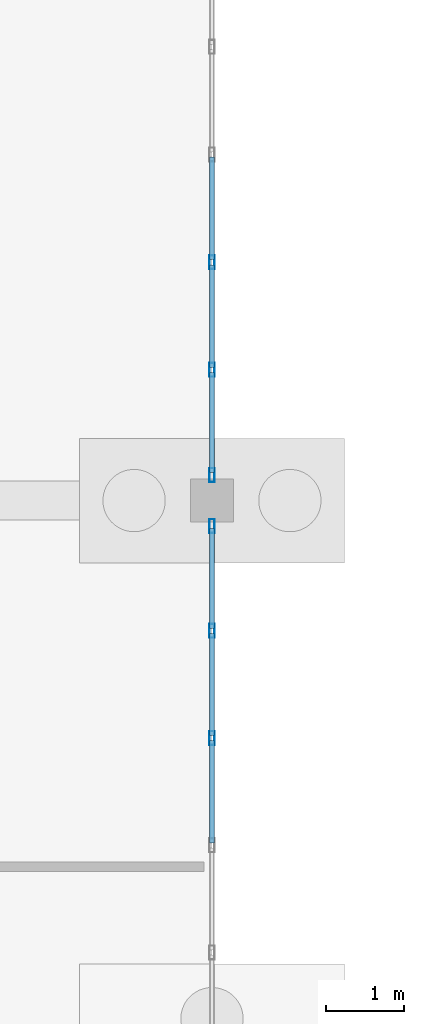
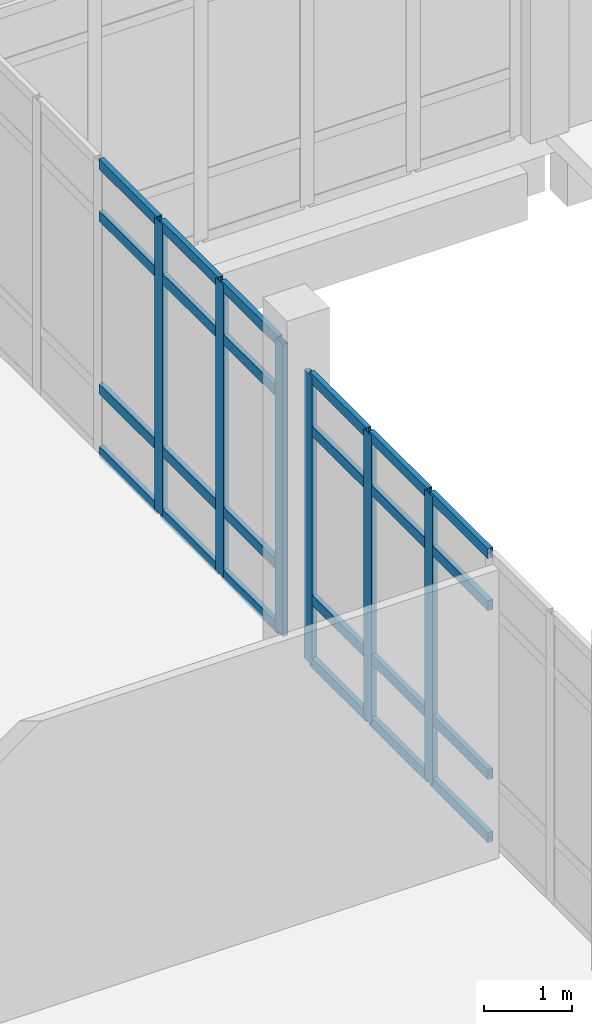
# One storey, part 60 of 173: 30 members, 2 elements without a shape of their own.
"""IFC4 building model written with IfcOpenShell, lengths in metres."""

from ifc_helpers import new_model, si_unit, direction, frame, origin, origin_2d, place, context, subcontext, project, spatial, hollow_rectangle, extrude, material, layer, layer_set, material_profile, profile_set, type_object, element, aggregate, save


model = new_model("IFC4")

# Units and contexts
model_context = context("Model", 3, precision=1e-05, world=origin(), true_north=direction((0.0, 1.0)))
body_context = subcontext(model_context, "Body", "Model", "MODEL_VIEW")
ifc_project = project(units=[si_unit("LENGTHUNIT", "METRE"), si_unit("AREAUNIT", "SQUARE_METRE"), si_unit("VOLUMEUNIT", "CUBIC_METRE"), si_unit("PLANEANGLEUNIT", "RADIAN"), si_unit("MASSUNIT", "GRAM", prefix="KILO")], contexts=[model_context])

# Site, building, storey
site_placement = place(None, origin())
site = spatial("IfcSite", under=ifc_project, at=site_placement, CompositionType="ELEMENT")
building_placement = place(site_placement, origin())
building = spatial("IfcBuilding", under=site, at=building_placement, Name="Mawjan Specialist Oncology Clinic", CompositionType="ELEMENT")
storey_placement = place(building_placement, origin())
storey = spatial("IfcBuildingStorey", under=building, at=storey_placement, Name="L00", CompositionType="ELEMENT", Elevation=0.0)

# Curtain wall, members
ifc_material_1 = material(Name="Unitised spectrally selective aluminium curtain wall", Category="aluminium")
ifc_layer_1 = layer(ifc_material_1, 0.179931640625, Name="Unitised spectrally selective aluminium curtain wall", Category="aluminium")
ifc_layer_set_1 = layer_set([ifc_layer_1], Name="Unitised spectrally selective aluminium curtain wall")
curtain_wall_type_1 = type_object("IfcCurtainWallType", Name="CW-09", PredefinedType="NOTDEFINED", material=ifc_layer_set_1)
curtain_wall_1_placement = place(storey_placement, origin())
curtain_wall_1 = element("IfcCurtainWall", 1, at=curtain_wall_1_placement, inside=storey, type_object=curtain_wall_type_1, Name="L00 Unitised Curtain Wall CW-L00-045", PredefinedType="NOTDEFINED")
ifc_material_2 = material(Name="Thermally broken aluminium 6063-T6", Category="aluminium")
ifc_material_profile_1 = material_profile(ifc_material_2, hollow_rectangle(XDim=0.06494140625, YDim=0.179931640625, WallThickness=0.00390625, at=origin_2d()), Name="ALU MULLION 180x65x4", Category="aluminium")
ifc_profile_set_1 = profile_set([ifc_material_profile_1], Name="Thermally broken aluminium 6063-T6")
member_type_1 = type_object("IfcMemberType", Name="CW-M180", PredefinedType="MULLION", material=ifc_profile_set_1)
member_1_placement = place(storey_placement, frame((45.0, 71.35888671875, 0.0), z_axis=(0.0, 0.0, 1.0), x_axis=(1.0, 0.0, 0.0)))
member_1 = element("IfcMember", 2, at=member_1_placement, type_object=member_type_1, Name="CW-09 mullion 4", PredefinedType="MULLION", context=body_context, shape_type="SweptSolid", body=[
    extrude(hollow_rectangle(XDim=0.06494140625, YDim=0.179931640625, WallThickness=0.00390625, at=origin_2d()), origin(), (0.0, 0.0, 1.0), 4.034912109375),
])
member_2_placement = place(storey_placement, frame((45.0, 69.97705078125, 0.0), z_axis=(0.0, 0.0, 1.0), x_axis=(1.0, 0.0, 0.0)))
member_2 = element("IfcMember", 3, at=member_2_placement, type_object=member_type_1, Name="CW-09 mullion 5", PredefinedType="MULLION", context=body_context, shape_type="SweptSolid", body=[
    extrude(hollow_rectangle(XDim=0.06494140625, YDim=0.179931640625, WallThickness=0.00390625, at=origin_2d()), origin(), (0.0, 0.0, 1.0), 4.034912109375),
])
member_3_placement = place(storey_placement, frame((45.0, 68.62744140625, 0.0), z_axis=(0.0, 0.0, 1.0), x_axis=(1.0, 0.0, 0.0)))
member_3 = element("IfcMember", 4, at=member_3_placement, type_object=member_type_1, Name="CW-09 mullion 6", PredefinedType="MULLION", context=body_context, shape_type="SweptSolid", body=[
    extrude(hollow_rectangle(XDim=0.06494140625, YDim=0.179931640625, WallThickness=0.00390625, at=origin_2d()), origin(), (0.0, 0.0, 1.0), 4.034912109375),
])

ifc_material_3 = material(Name="Unitised spectrally selective aluminium curtain wall", Category="aluminium")
ifc_layer_2 = layer(ifc_material_3, 0.179931640625, Name="Unitised spectrally selective aluminium curtain wall", Category="aluminium")
ifc_layer_set_2 = layer_set([ifc_layer_2], Name="Unitised spectrally selective aluminium curtain wall")
curtain_wall_type_2 = type_object("IfcCurtainWallType", Name="CW-22", PredefinedType="NOTDEFINED", material=ifc_layer_set_2)
curtain_wall_2_placement = place(storey_placement, origin())
curtain_wall_2 = element("IfcCurtainWall", 5, at=curtain_wall_2_placement, inside=storey, type_object=curtain_wall_type_2, Name="L00 Unitised Curtain Wall CW-L00-046", PredefinedType="NOTDEFINED")
member_4_placement = place(storey_placement, frame((45.0, 67.972412109375, 0.0), z_axis=(0.0, 0.0, 1.0), x_axis=(1.0, 0.0, 0.0)))
member_4 = element("IfcMember", 6, at=member_4_placement, type_object=member_type_1, Name="CW-22 mullion 1", PredefinedType="MULLION", context=body_context, shape_type="SweptSolid", body=[
    extrude(hollow_rectangle(XDim=0.06494140625, YDim=0.179931640625, WallThickness=0.00390625, at=origin_2d()), origin(), (0.0, 0.0, 1.0), 3.985107421875),
])
member_5_placement = place(storey_placement, frame((45.0, 66.6279296875, 0.0), z_axis=(0.0, 0.0, 1.0), x_axis=(1.0, 0.0, 0.0)))
member_5 = element("IfcMember", 7, at=member_5_placement, type_object=member_type_1, Name="CW-22 mullion 2", PredefinedType="MULLION", context=body_context, shape_type="SweptSolid", body=[
    extrude(hollow_rectangle(XDim=0.06494140625, YDim=0.179931640625, WallThickness=0.00390625, at=origin_2d()), origin(), (0.0, 0.0, 1.0), 3.985107421875),
])
member_6_placement = place(storey_placement, frame((45.0, 65.2509765625, 0.0), z_axis=(0.0, 0.0, 1.0), x_axis=(1.0, 0.0, 0.0)))
member_6 = element("IfcMember", 8, at=member_6_placement, type_object=member_type_1, Name="CW-22 mullion 3", PredefinedType="MULLION", context=body_context, shape_type="SweptSolid", body=[
    extrude(hollow_rectangle(XDim=0.06494140625, YDim=0.179931640625, WallThickness=0.00390625, at=origin_2d()), origin(), (0.0, 0.0, 1.0), 3.985107421875),
])

# Member
ifc_material_4 = material(Name="Thermally broken aluminium 6063-T6", Category="aluminium")
ifc_material_profile_2 = material_profile(ifc_material_4, hollow_rectangle(XDim=0.06494140625, YDim=0.139892578125, WallThickness=0.00390625, at=origin_2d()), Name="ALU TRANSOM 140x65x4", Category="aluminium")
ifc_profile_set_2 = profile_set([ifc_material_profile_2], Name="Thermally broken aluminium 6063-T6")
member_type_2 = type_object("IfcMemberType", Name="CW-T140", PredefinedType="USERDEFINED", material=ifc_profile_set_2)
member_7_placement = place(storey_placement, frame((45.0, 72.70849609375, 0.032470703125), z_axis=(0.0, -1.0, 0.0), x_axis=(1.0, 0.0, 0.0)))
member_7 = element("IfcMember", 9, at=member_7_placement, type_object=member_type_2, Name="CW-09 transom 3.1", ObjectType="TRANSOM", PredefinedType="USERDEFINED", context=body_context, shape_type="SweptSolid", body=[
    extrude(hollow_rectangle(XDim=0.06494140625, YDim=0.139892578125, WallThickness=0.00390625, at=origin_2d()), origin(), (0.0, 0.0, 1.0), 1.31689453125),
])

member_8_placement = place(storey_placement, frame((45.0, 72.70849609375, 0.89990234375), z_axis=(0.0, -1.0, 0.0), x_axis=(1.0, 0.0, 0.0)))
member_8 = element("IfcMember", 10, at=member_8_placement, type_object=member_type_2, Name="CW-09 transom 3.2", ObjectType="TRANSOM", PredefinedType="USERDEFINED", context=body_context, shape_type="SweptSolid", body=[
    extrude(hollow_rectangle(XDim=0.06494140625, YDim=0.139892578125, WallThickness=0.00390625, at=origin_2d()), origin(), (0.0, 0.0, 1.0), 1.31689453125),
])

member_9_placement = place(storey_placement, frame((45.0, 72.70849609375, 3.284912109375), z_axis=(0.0, -1.0, 0.0), x_axis=(1.0, 0.0, 0.0)))
member_9 = element("IfcMember", 11, at=member_9_placement, type_object=member_type_2, Name="CW-09 transom 3.3", ObjectType="TRANSOM", PredefinedType="USERDEFINED", context=body_context, shape_type="SweptSolid", body=[
    extrude(hollow_rectangle(XDim=0.06494140625, YDim=0.139892578125, WallThickness=0.00390625, at=origin_2d()), origin(), (0.0, 0.0, 1.0), 1.31689453125),
])

member_10_placement = place(storey_placement, frame((45.0, 72.70849609375, 4.00244140625), z_axis=(0.0, -1.0, 0.0), x_axis=(1.0, 0.0, 0.0)))
member_10 = element("IfcMember", 12, at=member_10_placement, type_object=member_type_2, Name="CW-09 transom 3.4", ObjectType="TRANSOM", PredefinedType="USERDEFINED", context=body_context, shape_type="SweptSolid", body=[
    extrude(hollow_rectangle(XDim=0.06494140625, YDim=0.139892578125, WallThickness=0.00390625, at=origin_2d()), origin(), (0.0, 0.0, 1.0), 1.31689453125),
])

member_11_placement = place(storey_placement, frame((45.0, 71.326416015625, 0.032470703125), z_axis=(0.0, -1.0, 0.0), x_axis=(1.0, 0.0, 0.0)))
member_11 = element("IfcMember", 13, at=member_11_placement, type_object=member_type_2, Name="CW-09 transom 4.1", ObjectType="TRANSOM", PredefinedType="USERDEFINED", context=body_context, shape_type="SweptSolid", body=[
    extrude(hollow_rectangle(XDim=0.06494140625, YDim=0.139892578125, WallThickness=0.00390625, at=origin_2d()), origin(), (0.0, 0.0, 1.0), 1.31689453125),
])

member_12_placement = place(storey_placement, frame((45.0, 71.326416015625, 0.89990234375), z_axis=(0.0, -1.0, 0.0), x_axis=(1.0, 0.0, 0.0)))
member_12 = element("IfcMember", 14, at=member_12_placement, type_object=member_type_2, Name="CW-09 transom 4.2", ObjectType="TRANSOM", PredefinedType="USERDEFINED", context=body_context, shape_type="SweptSolid", body=[
    extrude(hollow_rectangle(XDim=0.06494140625, YDim=0.139892578125, WallThickness=0.00390625, at=origin_2d()), origin(), (0.0, 0.0, 1.0), 1.31689453125),
])

member_13_placement = place(storey_placement, frame((45.0, 71.326416015625, 3.284912109375), z_axis=(0.0, -1.0, 0.0), x_axis=(1.0, 0.0, 0.0)))
member_13 = element("IfcMember", 15, at=member_13_placement, type_object=member_type_2, Name="CW-09 transom 4.3", ObjectType="TRANSOM", PredefinedType="USERDEFINED", context=body_context, shape_type="SweptSolid", body=[
    extrude(hollow_rectangle(XDim=0.06494140625, YDim=0.139892578125, WallThickness=0.00390625, at=origin_2d()), origin(), (0.0, 0.0, 1.0), 1.31689453125),
])

member_14_placement = place(storey_placement, frame((45.0, 71.326416015625, 4.00244140625), z_axis=(0.0, -1.0, 0.0), x_axis=(1.0, 0.0, 0.0)))
member_14 = element("IfcMember", 16, at=member_14_placement, type_object=member_type_2, Name="CW-09 transom 4.4", ObjectType="TRANSOM", PredefinedType="USERDEFINED", context=body_context, shape_type="SweptSolid", body=[
    extrude(hollow_rectangle(XDim=0.06494140625, YDim=0.139892578125, WallThickness=0.00390625, at=origin_2d()), origin(), (0.0, 0.0, 1.0), 1.31689453125),
])

member_15_placement = place(storey_placement, frame((45.0, 69.944580078125, 0.032470703125), z_axis=(0.0, -1.0, 0.0), x_axis=(1.0, 0.0, 0.0)))
member_15 = element("IfcMember", 17, at=member_15_placement, type_object=member_type_2, Name="CW-09 transom 5.1", ObjectType="TRANSOM", PredefinedType="USERDEFINED", context=body_context, shape_type="SweptSolid", body=[
    extrude(hollow_rectangle(XDim=0.06494140625, YDim=0.139892578125, WallThickness=0.00390625, at=origin_2d()), origin(), (0.0, 0.0, 1.0), 1.28466796875),
])

member_16_placement = place(storey_placement, frame((45.0, 69.944580078125, 0.89990234375), z_axis=(0.0, -1.0, 0.0), x_axis=(1.0, 0.0, 0.0)))
member_16 = element("IfcMember", 18, at=member_16_placement, type_object=member_type_2, Name="CW-09 transom 5.2", ObjectType="TRANSOM", PredefinedType="USERDEFINED", context=body_context, shape_type="SweptSolid", body=[
    extrude(hollow_rectangle(XDim=0.06494140625, YDim=0.139892578125, WallThickness=0.00390625, at=origin_2d()), origin(), (0.0, 0.0, 1.0), 1.28466796875),
])

member_17_placement = place(storey_placement, frame((45.0, 69.944580078125, 3.284912109375), z_axis=(0.0, -1.0, 0.0), x_axis=(1.0, 0.0, 0.0)))
member_17 = element("IfcMember", 19, at=member_17_placement, type_object=member_type_2, Name="CW-09 transom 5.3", ObjectType="TRANSOM", PredefinedType="USERDEFINED", context=body_context, shape_type="SweptSolid", body=[
    extrude(hollow_rectangle(XDim=0.06494140625, YDim=0.139892578125, WallThickness=0.00390625, at=origin_2d()), origin(), (0.0, 0.0, 1.0), 1.28466796875),
])

member_18_placement = place(storey_placement, frame((45.0, 69.944580078125, 4.00244140625), z_axis=(0.0, -1.0, 0.0), x_axis=(1.0, 0.0, 0.0)))
member_18 = element("IfcMember", 20, at=member_18_placement, type_object=member_type_2, Name="CW-09 transom 5.4", ObjectType="TRANSOM", PredefinedType="USERDEFINED", context=body_context, shape_type="SweptSolid", body=[
    extrude(hollow_rectangle(XDim=0.06494140625, YDim=0.139892578125, WallThickness=0.00390625, at=origin_2d()), origin(), (0.0, 0.0, 1.0), 1.28466796875),
])

aggregate(curtain_wall_1, [member_1, member_2, member_3, member_7, member_8, member_9, member_10, member_11, member_12, member_13, member_14, member_15, member_16, member_17, member_18])

member_19_placement = place(storey_placement, frame((45.0, 67.93994140625, 0.032470703125), z_axis=(0.0, -1.0, 0.0), x_axis=(1.0, 0.0, 0.0)))
member_19 = element("IfcMember", 21, at=member_19_placement, type_object=member_type_2, Name="CW-22 transom 1.1", ObjectType="TRANSOM", PredefinedType="USERDEFINED", context=body_context, shape_type="SweptSolid", body=[
    extrude(hollow_rectangle(XDim=0.06494140625, YDim=0.139892578125, WallThickness=0.00390625, at=origin_2d()), origin(), (0.0, 0.0, 1.0), 1.279541015625),
])

member_20_placement = place(storey_placement, frame((45.0, 67.93994140625, 0.89990234375), z_axis=(0.0, -1.0, 0.0), x_axis=(1.0, 0.0, 0.0)))
member_20 = element("IfcMember", 22, at=member_20_placement, type_object=member_type_2, Name="CW-22 transom 1.2", ObjectType="TRANSOM", PredefinedType="USERDEFINED", context=body_context, shape_type="SweptSolid", body=[
    extrude(hollow_rectangle(XDim=0.06494140625, YDim=0.139892578125, WallThickness=0.00390625, at=origin_2d()), origin(), (0.0, 0.0, 1.0), 1.279541015625),
])

member_21_placement = place(storey_placement, frame((45.0, 67.93994140625, 3.235107421875), z_axis=(0.0, -1.0, 0.0), x_axis=(1.0, 0.0, 0.0)))
member_21 = element("IfcMember", 23, at=member_21_placement, type_object=member_type_2, Name="CW-22 transom 1.3", ObjectType="TRANSOM", PredefinedType="USERDEFINED", context=body_context, shape_type="SweptSolid", body=[
    extrude(hollow_rectangle(XDim=0.06494140625, YDim=0.139892578125, WallThickness=0.00390625, at=origin_2d()), origin(), (0.0, 0.0, 1.0), 1.279541015625),
])

member_22_placement = place(storey_placement, frame((45.0, 67.93994140625, 3.952392578125), z_axis=(0.0, -1.0, 0.0), x_axis=(1.0, 0.0, 0.0)))
member_22 = element("IfcMember", 24, at=member_22_placement, type_object=member_type_2, Name="CW-22 transom 1.4", ObjectType="TRANSOM", PredefinedType="USERDEFINED", context=body_context, shape_type="SweptSolid", body=[
    extrude(hollow_rectangle(XDim=0.06494140625, YDim=0.139892578125, WallThickness=0.00390625, at=origin_2d()), origin(), (0.0, 0.0, 1.0), 1.279541015625),
])

member_23_placement = place(storey_placement, frame((45.0, 66.595458984375, 0.032470703125), z_axis=(0.0, -1.0, 0.0), x_axis=(1.0, 0.0, 0.0)))
member_23 = element("IfcMember", 25, at=member_23_placement, type_object=member_type_2, Name="CW-22 transom 2.1", ObjectType="TRANSOM", PredefinedType="USERDEFINED", context=body_context, shape_type="SweptSolid", body=[
    extrude(hollow_rectangle(XDim=0.06494140625, YDim=0.139892578125, WallThickness=0.00390625, at=origin_2d()), origin(), (0.0, 0.0, 1.0), 1.31201171875),
])

member_24_placement = place(storey_placement, frame((45.0, 66.595458984375, 0.89990234375), z_axis=(0.0, -1.0, 0.0), x_axis=(1.0, 0.0, 0.0)))
member_24 = element("IfcMember", 26, at=member_24_placement, type_object=member_type_2, Name="CW-22 transom 2.2", ObjectType="TRANSOM", PredefinedType="USERDEFINED", context=body_context, shape_type="SweptSolid", body=[
    extrude(hollow_rectangle(XDim=0.06494140625, YDim=0.139892578125, WallThickness=0.00390625, at=origin_2d()), origin(), (0.0, 0.0, 1.0), 1.31201171875),
])

member_25_placement = place(storey_placement, frame((45.0, 66.595458984375, 3.235107421875), z_axis=(0.0, -1.0, 0.0), x_axis=(1.0, 0.0, 0.0)))
member_25 = element("IfcMember", 27, at=member_25_placement, type_object=member_type_2, Name="CW-22 transom 2.3", ObjectType="TRANSOM", PredefinedType="USERDEFINED", context=body_context, shape_type="SweptSolid", body=[
    extrude(hollow_rectangle(XDim=0.06494140625, YDim=0.139892578125, WallThickness=0.00390625, at=origin_2d()), origin(), (0.0, 0.0, 1.0), 1.31201171875),
])

member_26_placement = place(storey_placement, frame((45.0, 66.595458984375, 3.952392578125), z_axis=(0.0, -1.0, 0.0), x_axis=(1.0, 0.0, 0.0)))
member_26 = element("IfcMember", 28, at=member_26_placement, type_object=member_type_2, Name="CW-22 transom 2.4", ObjectType="TRANSOM", PredefinedType="USERDEFINED", context=body_context, shape_type="SweptSolid", body=[
    extrude(hollow_rectangle(XDim=0.06494140625, YDim=0.139892578125, WallThickness=0.00390625, at=origin_2d()), origin(), (0.0, 0.0, 1.0), 1.31201171875),
])

member_27_placement = place(storey_placement, frame((45.0, 65.218505859375, 0.032470703125), z_axis=(0.0, -1.0, 0.0), x_axis=(1.0, 0.0, 0.0)))
member_27 = element("IfcMember", 29, at=member_27_placement, type_object=member_type_2, Name="CW-22 transom 3.1", ObjectType="TRANSOM", PredefinedType="USERDEFINED", context=body_context, shape_type="SweptSolid", body=[
    extrude(hollow_rectangle(XDim=0.06494140625, YDim=0.139892578125, WallThickness=0.00390625, at=origin_2d()), origin(), (0.0, 0.0, 1.0), 1.31201171875),
])

member_28_placement = place(storey_placement, frame((45.0, 65.218505859375, 0.89990234375), z_axis=(0.0, -1.0, 0.0), x_axis=(1.0, 0.0, 0.0)))
member_28 = element("IfcMember", 30, at=member_28_placement, type_object=member_type_2, Name="CW-22 transom 3.2", ObjectType="TRANSOM", PredefinedType="USERDEFINED", context=body_context, shape_type="SweptSolid", body=[
    extrude(hollow_rectangle(XDim=0.06494140625, YDim=0.139892578125, WallThickness=0.00390625, at=origin_2d()), origin(), (0.0, 0.0, 1.0), 1.31201171875),
])

member_29_placement = place(storey_placement, frame((45.0, 65.218505859375, 3.235107421875), z_axis=(0.0, -1.0, 0.0), x_axis=(1.0, 0.0, 0.0)))
member_29 = element("IfcMember", 31, at=member_29_placement, type_object=member_type_2, Name="CW-22 transom 3.3", ObjectType="TRANSOM", PredefinedType="USERDEFINED", context=body_context, shape_type="SweptSolid", body=[
    extrude(hollow_rectangle(XDim=0.06494140625, YDim=0.139892578125, WallThickness=0.00390625, at=origin_2d()), origin(), (0.0, 0.0, 1.0), 1.31201171875),
])

member_30_placement = place(storey_placement, frame((45.0, 65.218505859375, 3.952392578125), z_axis=(0.0, -1.0, 0.0), x_axis=(1.0, 0.0, 0.0)))
member_30 = element("IfcMember", 32, at=member_30_placement, type_object=member_type_2, Name="CW-22 transom 3.4", ObjectType="TRANSOM", PredefinedType="USERDEFINED", context=body_context, shape_type="SweptSolid", body=[
    extrude(hollow_rectangle(XDim=0.06494140625, YDim=0.139892578125, WallThickness=0.00390625, at=origin_2d()), origin(), (0.0, 0.0, 1.0), 1.31201171875),
])

aggregate(curtain_wall_2, [member_4, member_5, member_6, member_19, member_20, member_21, member_22, member_23, member_24, member_25, member_26, member_27, member_28, member_29, member_30])

save(model, "model.ifc")
